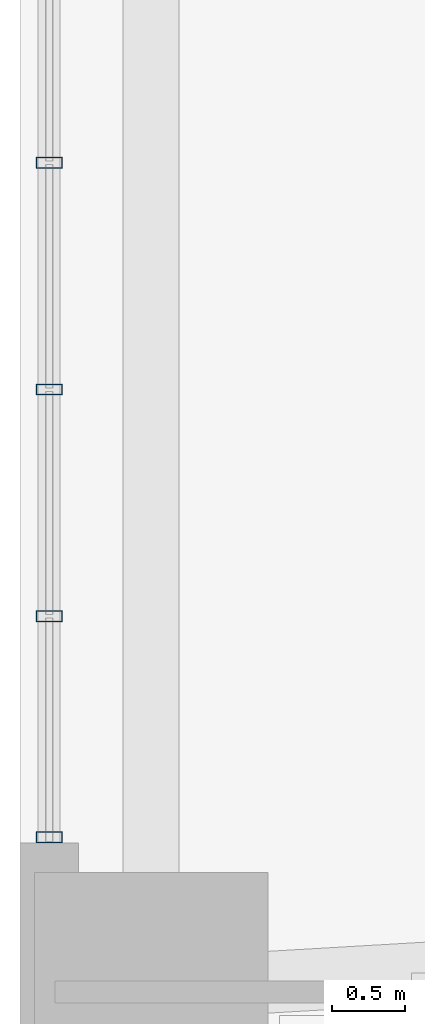
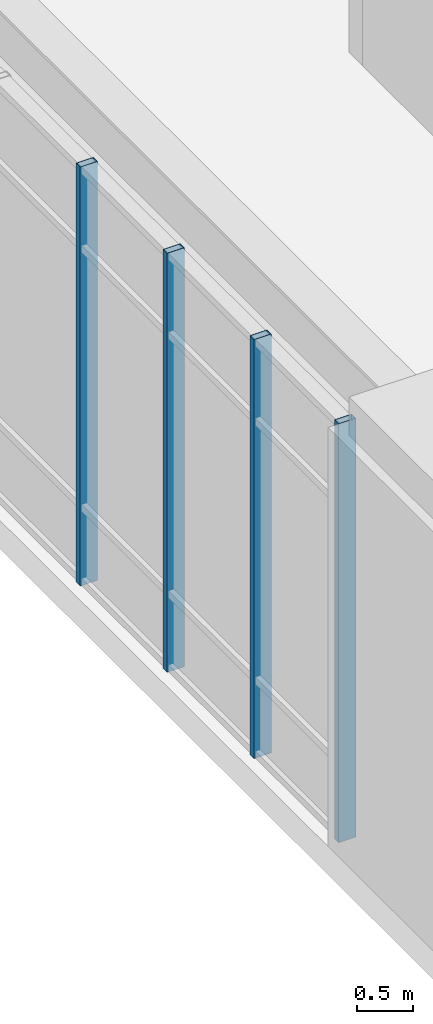
# One storey, part 2 of 18: 4 members, 1 element without a shape of its own.
"""IFC4 building model written with IfcOpenShell, lengths in metres."""

from ifc_helpers import new_model, si_unit, direction, frame, origin, origin_2d, place, context, subcontext, project, spatial, hollow_rectangle, extrude, material, layer, layer_set, material_profile, profile_set, type_object, element, aggregate, save


model = new_model("IFC4")

# Units and contexts
model_context = context("Model", 3, precision=1e-05, world=origin(), true_north=direction((0.0, 1.0)))
body_context = subcontext(model_context, "Body", "Model", "MODEL_VIEW")
ifc_project = project(units=[si_unit("LENGTHUNIT", "METRE"), si_unit("AREAUNIT", "SQUARE_METRE"), si_unit("VOLUMEUNIT", "CUBIC_METRE"), si_unit("PLANEANGLEUNIT", "RADIAN"), si_unit("MASSUNIT", "GRAM", prefix="KILO"), si_unit("THERMODYNAMICTEMPERATUREUNIT", "KELVIN"), si_unit("POWERUNIT", "WATT")], contexts=[model_context])

# Site, building, storey
site_placement = place(None, origin())
site = spatial("IfcSite", under=ifc_project, at=site_placement, CompositionType="ELEMENT")
building_placement = place(site_placement, origin())
building = spatial("IfcBuilding", under=site, at=building_placement, Name="Skarre Station Tower", CompositionType="ELEMENT")
storey_placement = place(building_placement, frame((0.0, 0.0, 16.0)))
storey = spatial("IfcBuildingStorey", under=building, at=storey_placement, Name="L04", CompositionType="ELEMENT", Elevation=16.0)

# Curtain wall, members
ifc_material_1 = material(Name="Thermally Broken Bronze-Anodized Aluminium & Triple Low-E Glass", Category="aluminium")
ifc_layer = layer(ifc_material_1, 0.199951171875, Name="Thermally Broken Bronze-Anodized Aluminium & Triple Low-E Glass")
ifc_layer_set = layer_set([ifc_layer], Name="Thermally Broken Bronze-Anodized Aluminium & Triple Low-E Glass")
curtain_wall_type = type_object("IfcCurtainWallType", Name="Podium Transit Arcade Stick Curtain Wall", PredefinedType="NOTDEFINED", material=ifc_layer_set)
curtain_wall_placement = place(storey_placement, origin())
curtain_wall = element("IfcCurtainWall", 1, at=curtain_wall_placement, inside=storey, type_object=curtain_wall_type, Name="L04 West Atrium Clerestory Curtain Wall", PredefinedType="NOTDEFINED")
ifc_material_2 = material(Name="Anodized Aluminium 6063-T6", Category="aluminium")
ifc_material_profile = material_profile(ifc_material_2, hollow_rectangle(XDim=0.074951171875, YDim=0.179931640625, WallThickness=0.00390625, at=origin_2d()), Name="Anodized Aluminium 6063-T6")
ifc_profile_set = profile_set([ifc_material_profile], Name="Anodized Aluminium 6063-T6")
member_type = type_object("IfcMemberType", Name="Curtain-Wall Unitised Tower Mullion 180x75", PredefinedType="MULLION", material=ifc_profile_set)
member_1_placement = place(storey_placement, frame((0.199951171875, 17.0400390625, 0.0), z_axis=(0.0, 0.0, 1.0), x_axis=(0.0, 1.0, 0.0)))
member_1 = element("IfcMember", 2, at=member_1_placement, type_object=member_type, Name="L04 West Atrium Clerestory Curtain Wall Mullion 1", PredefinedType="MULLION", context=body_context, shape_type="SweptSolid", body=[
    extrude(hollow_rectangle(XDim=0.074951171875, YDim=0.179931640625, WallThickness=0.00390625, at=origin_2d()), origin(), (0.0, 0.0, 1.0), 4.580078125),
])
member_2_placement = place(storey_placement, frame((0.199951171875, 18.555908203125, 0.0), z_axis=(0.0, 0.0, 1.0), x_axis=(0.0, 1.0, 0.0)))
member_2 = element("IfcMember", 3, at=member_2_placement, type_object=member_type, Name="L04 West Atrium Clerestory Curtain Wall Mullion 2", PredefinedType="MULLION", context=body_context, shape_type="SweptSolid", body=[
    extrude(hollow_rectangle(XDim=0.074951171875, YDim=0.179931640625, WallThickness=0.00390625, at=origin_2d()), origin(), (0.0, 0.0, 1.0), 4.580078125),
])
member_3_placement = place(storey_placement, frame((0.199951171875, 20.111083984375, 0.0), z_axis=(0.0, 0.0, 1.0), x_axis=(0.0, 1.0, 0.0)))
member_3 = element("IfcMember", 4, at=member_3_placement, type_object=member_type, Name="L04 West Atrium Clerestory Curtain Wall Mullion 3", PredefinedType="MULLION", context=body_context, shape_type="SweptSolid", body=[
    extrude(hollow_rectangle(XDim=0.074951171875, YDim=0.179931640625, WallThickness=0.00390625, at=origin_2d()), origin(), (0.0, 0.0, 1.0), 4.580078125),
])
member_4_placement = place(storey_placement, frame((0.199951171875, 21.6669921875, 0.0), z_axis=(0.0, 0.0, 1.0), x_axis=(0.0, 1.0, 0.0)))
member_4 = element("IfcMember", 5, at=member_4_placement, type_object=member_type, Name="L04 West Atrium Clerestory Curtain Wall Mullion 4", PredefinedType="MULLION", context=body_context, shape_type="SweptSolid", body=[
    extrude(hollow_rectangle(XDim=0.074951171875, YDim=0.179931640625, WallThickness=0.00390625, at=origin_2d()), origin(), (0.0, 0.0, 1.0), 4.580078125),
])
aggregate(curtain_wall, [member_1, member_2, member_3, member_4])

save(model, "model.ifc")
